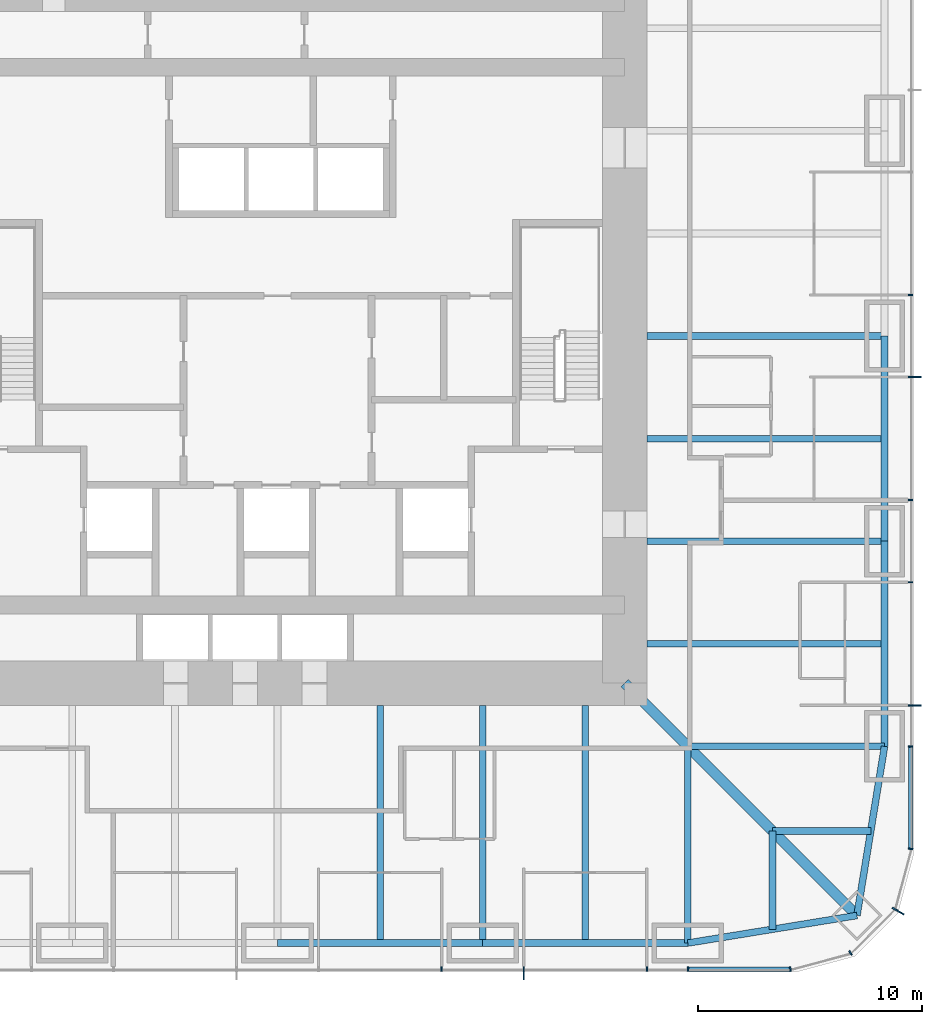
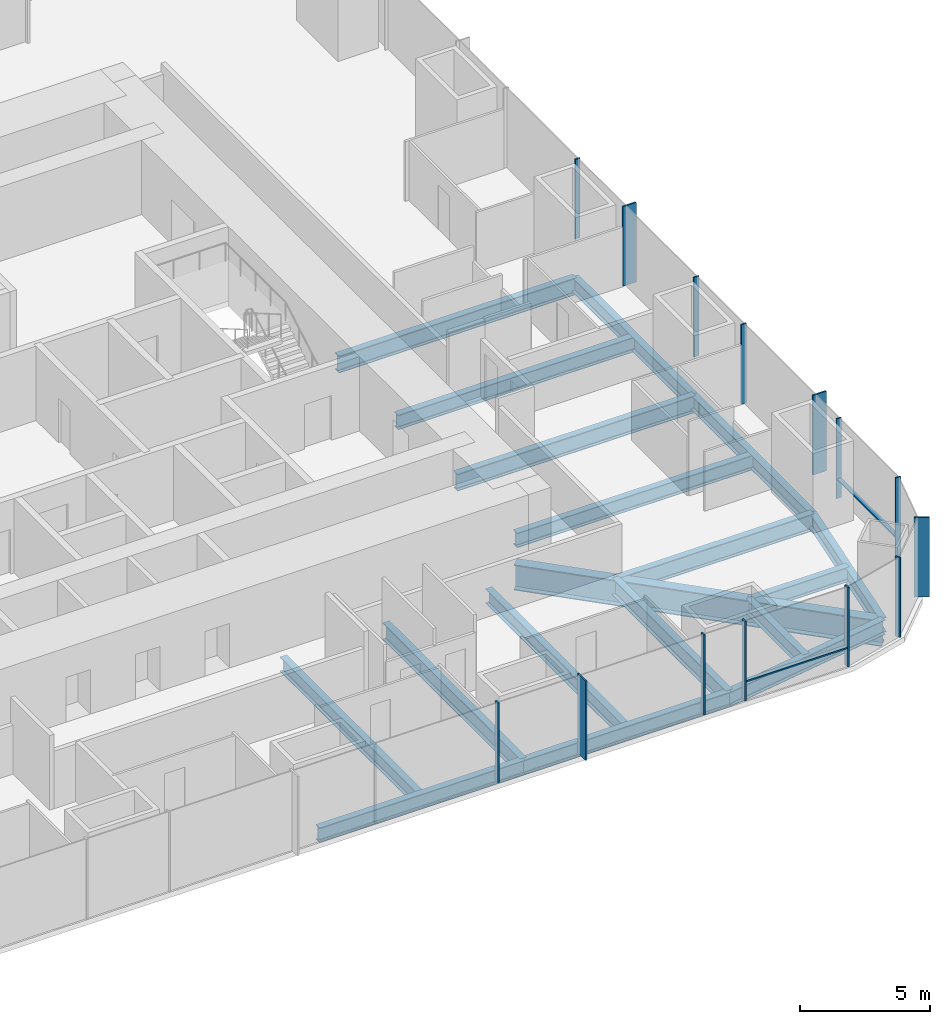
# One storey, part 3 of 11: 18 beams, 16 members, 3 elements without a shape of their own.
"""IFC4 building model written with IfcOpenShell, lengths in metres."""

from ifc_helpers import new_model, si_unit, direction, frame, origin, origin_2d, place, context, subcontext, project, spatial, rectangle, i_section, extrude, material, material_profile, profile_set, type_object, element, aggregate, save


model = new_model("IFC4")

# Units and contexts
model_context = context("Model", 3, precision=1e-05, world=origin(), true_north=direction((0.0, 1.0)))
body_context = subcontext(model_context, "Body", "Model", "MODEL_VIEW")
ifc_project = project(units=[si_unit("LENGTHUNIT", "METRE"), si_unit("AREAUNIT", "SQUARE_METRE"), si_unit("VOLUMEUNIT", "CUBIC_METRE"), si_unit("PLANEANGLEUNIT", "RADIAN"), si_unit("MASSUNIT", "GRAM", prefix="KILO")], contexts=[model_context])

# Site, building, storey
site_placement = place(None, origin())
site = spatial("IfcSite", under=ifc_project, at=site_placement, CompositionType="ELEMENT")
building_placement = place(site_placement, origin())
building = spatial("IfcBuilding", under=site, at=building_placement, Name="Khuree Lantern Residences", CompositionType="ELEMENT")
storey_placement = place(building_placement, frame((0.0, 0.0, 171.0)))
storey = spatial("IfcBuildingStorey", under=building, at=storey_placement, Name="L43", CompositionType="ELEMENT", Elevation=171.0)

# Beams
ifc_material_1 = material(Name="Steel S355", Category="steel")
ifc_material_profile_1 = material_profile(ifc_material_1, i_section(OverallWidth=0.300048828125, OverallDepth=0.68994140625, WebThickness=0.014404296875, FlangeThickness=0.027099609375, FilletRadius=0.027099609375, at=origin_2d()), Name="HE 700 A")
ifc_profile_set_1 = profile_set([ifc_material_profile_1], Name="Steel S355")
beam_type_1 = type_object("IfcBeamType", Name="B-25A SECONDARY BEAM HE 700 A", PredefinedType="BEAM", material=ifc_profile_set_1)
for number, where, z_axis, x_axis, name in (
    (1, (27.10009765625, -4.580078125, -0.594970703125), (-1.0, 0.0, 0.0), (0.0, -1.0, 0.0), "Secondary beam E4"),
    (2, (27.10009765625, -13.739990234375, -0.594970703125), (-1.0, 0.0, 0.0), (0.0, -1.0, 0.0), "Secondary beam E5"),
):
    element("IfcBeam", number, at=place(storey_placement, frame(where, z_axis=z_axis, x_axis=x_axis)), inside=storey, type_object=beam_type_1, Name=name, PredefinedType="BEAM", context=body_context, shape_type="SweptSolid", body=[
        extrude(i_section(OverallWidth=0.300048828125, OverallDepth=0.68994140625, WebThickness=0.014404296875, FlangeThickness=0.027099609375, FilletRadius=0.027099609375, at=origin_2d()), origin(), (0.0, 0.0, 1.0), 10.60009765625),
    ])
for number, where, z_axis, x_axis, name in (
    (3, (26.48486328125, -22.094970703125, -0.594970703125), (-1.0, 0.0, 0.0), (0.0, -1.0, 0.0), "Secondary beam E6"),
    (4, (22.094970703125, -26.48486328125, -0.594970703125), (0.0, 1.0, 0.0), (-1.0, 0.0, 0.0), "Secondary beam S1"),
):
    element("IfcBeam", number, at=place(storey_placement, frame(where, z_axis=z_axis, x_axis=x_axis)), inside=storey, type_object=beam_type_1, Name=name, PredefinedType="BEAM", context=body_context, shape_type="SweptSolid", body=[
        extrude(i_section(OverallWidth=0.300048828125, OverallDepth=0.68994140625, WebThickness=0.014404296875, FlangeThickness=0.027099609375, FilletRadius=0.027099609375, at=origin_2d()), origin(), (0.0, 0.0, 1.0), 4.389892578125),
    ])
for number, where, z_axis, x_axis, name in (
    (5, (13.739990234375, -27.10009765625, -0.594970703125), (0.0, 1.0, 0.0), (-1.0, 0.0, 0.0), "Secondary beam S2"),
    (6, (4.580078125, -27.10009765625, -0.594970703125), (0.0, 1.0, 0.0), (-1.0, 0.0, 0.0), "Secondary beam S3"),
):
    element("IfcBeam", number, at=place(storey_placement, frame(where, z_axis=z_axis, x_axis=x_axis)), inside=storey, type_object=beam_type_1, Name=name, PredefinedType="BEAM", context=body_context, shape_type="SweptSolid", body=[
        extrude(i_section(OverallWidth=0.300048828125, OverallDepth=0.68994140625, WebThickness=0.014404296875, FlangeThickness=0.027099609375, FilletRadius=0.027099609375, at=origin_2d()), origin(), (0.0, 0.0, 1.0), 10.60009765625),
    ])
ifc_material_profile_2 = material_profile(ifc_material_1, i_section(OverallWidth=0.300048828125, OverallDepth=0.68994140625, WebThickness=0.014404296875, FlangeThickness=0.027099609375, FilletRadius=0.027099609375, at=origin_2d()), Name="HE 700 A")
ifc_profile_set_2 = profile_set([ifc_material_profile_2], Name="Steel S355")
beam_type_2 = type_object("IfcBeamType", Name="E-25 SPANDREL BEAM HE 700 A", PredefinedType="SPANDREL", material=ifc_profile_set_2)
beam_1_placement = place(storey_placement, frame((27.10009765625, 0.0, -0.594970703125), z_axis=(0.0, -1.0, 0.0), x_axis=(1.0, 0.0, 0.0)))
element("IfcBeam", 7, at=beam_1_placement, inside=storey, type_object=beam_type_2, Name="Spandrel beam E4", PredefinedType="SPANDREL", context=body_context, shape_type="SweptSolid", body=[
    extrude(i_section(OverallWidth=0.300048828125, OverallDepth=0.68994140625, WebThickness=0.014404296875, FlangeThickness=0.027099609375, FilletRadius=0.027099609375, at=origin_2d()), origin(), (0.0, 0.0, 1.0), 9.159912109375),
])
beam_2_placement = place(storey_placement, frame((27.10009765625, -9.159912109375, -0.594970703125), z_axis=(0.0, -1.0, 0.0), x_axis=(1.0, 0.0, 0.0)))
element("IfcBeam", 8, at=beam_2_placement, inside=storey, type_object=beam_type_2, Name="Spandrel beam E5", PredefinedType="SPANDREL", context=body_context, shape_type="SweptSolid", body=[
    extrude(i_section(OverallWidth=0.300048828125, OverallDepth=0.68994140625, WebThickness=0.014404296875, FlangeThickness=0.027099609375, FilletRadius=0.027099609375, at=origin_2d()), origin(), (0.0, 0.0, 1.0), 9.16015625),
])
for number, where, z_axis, x_axis, name in (
    (9, (27.10009765625, -18.320068359375, -0.594970703125), (-0.160826723833, -0.986982656839, 0.0), (0.986982656839, -0.160826723833, 0.0), "Spandrel beam E6"),
    (10, (25.869873046875, -25.869873046875, -0.594970703125), (-0.986982656839, -0.160826723833, 0.0), (0.160826723833, -0.986982656839, 0.0), "Spandrel beam S1"),
):
    element("IfcBeam", number, at=place(storey_placement, frame(where, z_axis=z_axis, x_axis=x_axis)), inside=storey, type_object=beam_type_2, Name=name, PredefinedType="SPANDREL", context=body_context, shape_type="SweptSolid", body=[
        extrude(i_section(OverallWidth=0.300048828125, OverallDepth=0.68994140625, WebThickness=0.014404296875, FlangeThickness=0.027099609375, FilletRadius=0.027099609375, at=origin_2d()), origin(), (0.0, 0.0, 1.0), 7.6494140625),
    ])
beam_3_placement = place(storey_placement, frame((18.320068359375, -27.10009765625, -0.594970703125), z_axis=(-1.0, 0.0, 0.0), x_axis=(0.0, -1.0, 0.0)))
element("IfcBeam", 11, at=beam_3_placement, inside=storey, type_object=beam_type_2, Name="Spandrel beam S2", PredefinedType="SPANDREL", context=body_context, shape_type="SweptSolid", body=[
    extrude(i_section(OverallWidth=0.300048828125, OverallDepth=0.68994140625, WebThickness=0.014404296875, FlangeThickness=0.027099609375, FilletRadius=0.027099609375, at=origin_2d()), origin(), (0.0, 0.0, 1.0), 9.16015625),
])
beam_4_placement = place(storey_placement, frame((9.159912109375, -27.10009765625, -0.594970703125), z_axis=(-1.0, 0.0, 0.0), x_axis=(0.0, -1.0, 0.0)))
element("IfcBeam", 12, at=beam_4_placement, inside=storey, type_object=beam_type_2, Name="Spandrel beam S3", PredefinedType="SPANDREL", context=body_context, shape_type="SweptSolid", body=[
    extrude(i_section(OverallWidth=0.300048828125, OverallDepth=0.68994140625, WebThickness=0.014404296875, FlangeThickness=0.027099609375, FilletRadius=0.027099609375, at=origin_2d()), origin(), (0.0, 0.0, 1.0), 9.159912109375),
])

# Curtain wall, member
ifc_material_2 = material(Name="Bronze anodised aluminium", Category="aluminium")
curtain_wall_type_1 = type_object("IfcCurtainWallType", Name="CW-T2 TOWER CORNER CURTAIN WALL", PredefinedType="USERDEFINED", material=ifc_material_2)
curtain_wall_1_placement = place(storey_placement, origin())
curtain_wall_1 = element("IfcCurtainWall", 13, at=curtain_wall_1_placement, inside=storey, type_object=curtain_wall_type_1, Name="L43 SOUTH-EAST CORNER CURTAIN WALL", ObjectType="Faceted corner curtain wall", PredefinedType="USERDEFINED")
ifc_material_profile_3 = material_profile(ifc_material_2, rectangle(XDim=0.06494140625, YDim=0.60009765625, at=origin_2d()), Name="F1 65X600")
ifc_profile_set_3 = profile_set([ifc_material_profile_3], Name="Bronze anodised aluminium")
member_type_1 = type_object("IfcMemberType", Name="F1 BRONZE FIN MULLION TOWER 65X600", PredefinedType="MULLION", material=ifc_profile_set_3)
member_1_placement = place(storey_placement, frame((27.70654296875, -25.675048828125, 0.0), z_axis=(0.0, 0.0, 1.0), x_axis=(0.500000026995, 0.866025388199, 0.0)))
member_1 = element("IfcMember", 14, at=member_1_placement, type_object=member_type_1, Name="L43 SOUTH-EAST CORNER FIN MULLION 3", PredefinedType="MULLION", context=body_context, shape_type="SweptSolid", body=[
    extrude(rectangle(XDim=0.06494140625, YDim=0.60009765625, at=origin_2d()), origin(), (0.0, 0.0, 1.0), 3.75),
])

# Curtain wall, members
curtain_wall_type_2 = type_object("IfcCurtainWallType", Name="CW-T1 TOWER FACE CURTAIN WALL", PredefinedType="USERDEFINED", material=ifc_material_2)
curtain_wall_2_placement = place(storey_placement, origin())
curtain_wall_2 = element("IfcCurtainWall", 15, at=curtain_wall_2_placement, inside=storey, type_object=curtain_wall_type_2, Name="L43 EAST FACE CURTAIN WALL", ObjectType="Stick-built curtain wall", PredefinedType="USERDEFINED")
member_2_placement = place(storey_placement, frame((28.449951171875, -16.488037109375, 0.0), z_axis=(0.0, 0.0, 1.0), x_axis=(0.0, 1.0, 0.0)))
member_2 = element("IfcMember", 16, at=member_2_placement, type_object=member_type_1, Name="L43 EAST FACE FIN MULLION 6", PredefinedType="MULLION", context=body_context, shape_type="SweptSolid", body=[
    extrude(rectangle(XDim=0.06494140625, YDim=0.60009765625, at=origin_2d()), origin(), (0.0, 0.0, 1.0), 3.75),
])
member_3_placement = place(storey_placement, frame((28.449951171875, -1.83203125, 0.0), z_axis=(0.0, 0.0, 1.0), x_axis=(0.0, 1.0, 0.0)))
member_3 = element("IfcMember", 17, at=member_3_placement, type_object=member_type_1, Name="L43 EAST FACE FIN MULLION 9", PredefinedType="MULLION", context=body_context, shape_type="SweptSolid", body=[
    extrude(rectangle(XDim=0.06494140625, YDim=0.60009765625, at=origin_2d()), origin(), (0.0, 0.0, 1.0), 3.75),
])

# Curtain wall, member
curtain_wall_3_placement = place(storey_placement, origin())
curtain_wall_3 = element("IfcCurtainWall", 18, at=curtain_wall_3_placement, inside=storey, type_object=curtain_wall_type_2, Name="L43 SOUTH FACE CURTAIN WALL", ObjectType="Stick-built curtain wall", PredefinedType="USERDEFINED")
member_4_placement = place(storey_placement, frame((10.991943359375, -28.449951171875, 0.0), z_axis=(0.0, 0.0, 1.0), x_axis=(1.0, 0.0, 0.0)))
member_4 = element("IfcMember", 19, at=member_4_placement, type_object=member_type_1, Name="L43 SOUTH FACE FIN MULLION 54", PredefinedType="MULLION", context=body_context, shape_type="SweptSolid", body=[
    extrude(rectangle(XDim=0.06494140625, YDim=0.60009765625, at=origin_2d()), origin(), (0.0, 0.0, 1.0), 3.75),
])

# Beams
ifc_material_profile_4 = material_profile(ifc_material_1, i_section(OverallWidth=0.300048828125, OverallDepth=0.800048828125, WebThickness=0.017578125, FlangeThickness=0.032958984375, FilletRadius=0.030029296875, at=origin_2d()), Name="HE 800 B")
ifc_profile_set_4 = profile_set([ifc_material_profile_4], Name="Steel S355")
beam_type_3 = type_object("IfcBeamType", Name="G-25A GIRDER HE 800 B", PredefinedType="BEAM", material=ifc_profile_set_4)
for number, where, z_axis, x_axis, name in (
    (20, (27.10009765625, 0.0, -0.64990234375), (-1.0, 0.0, 0.0), (0.0, -1.0, 0.0), "Girder E3"),
    (21, (27.10009765625, -9.159912109375, -0.64990234375), (-1.0, 0.0, 0.0), (0.0, -1.0, 0.0), "Girder E4"),
):
    element("IfcBeam", number, at=place(storey_placement, frame(where, z_axis=z_axis, x_axis=x_axis)), inside=storey, type_object=beam_type_3, Name=name, PredefinedType="BEAM", context=body_context, shape_type="SweptSolid", body=[
        extrude(i_section(OverallWidth=0.300048828125, OverallDepth=0.800048828125, WebThickness=0.017578125, FlangeThickness=0.032958984375, FilletRadius=0.030029296875, at=origin_2d()), origin(), (0.0, 0.0, 1.0), 10.60009765625),
    ])
for number, where, z_axis, x_axis, name in (
    (22, (27.10009765625, -18.320068359375, -0.64990234375), (-1.0, 0.0, 0.0), (0.0, -1.0, 0.0), "Girder E5"),
    (23, (18.320068359375, -27.10009765625, -0.64990234375), (0.0, 1.0, 0.0), (-1.0, 0.0, 0.0), "Girder S1"),
):
    element("IfcBeam", number, at=place(storey_placement, frame(where, z_axis=z_axis, x_axis=x_axis)), inside=storey, type_object=beam_type_3, Name=name, PredefinedType="BEAM", context=body_context, shape_type="SweptSolid", body=[
        extrude(i_section(OverallWidth=0.300048828125, OverallDepth=0.800048828125, WebThickness=0.017578125, FlangeThickness=0.032958984375, FilletRadius=0.030029296875, at=origin_2d()), origin(), (0.0, 0.0, 1.0), 8.780029296875),
    ])
beam_5_placement = place(storey_placement, frame((9.159912109375, -27.10009765625, -0.64990234375), z_axis=(0.0, 1.0, 0.0), x_axis=(-1.0, 0.0, 0.0)))
element("IfcBeam", 24, at=beam_5_placement, inside=storey, type_object=beam_type_3, Name="Girder S2", PredefinedType="BEAM", context=body_context, shape_type="SweptSolid", body=[
    extrude(i_section(OverallWidth=0.300048828125, OverallDepth=0.800048828125, WebThickness=0.017578125, FlangeThickness=0.032958984375, FilletRadius=0.030029296875, at=origin_2d()), origin(), (0.0, 0.0, 1.0), 10.60009765625),
])
ifc_material_profile_5 = material_profile(ifc_material_1, i_section(OverallWidth=0.449951171875, OverallDepth=1.199951171875, WebThickness=0.02490234375, FlangeThickness=0.044921875, at=origin_2d()), Name="WELDED I 1200X450X25X45")
ifc_profile_set_5 = profile_set([ifc_material_profile_5], Name="Steel S355")
beam_type_4 = type_object("IfcBeamType", Name="GD-25 CORNER GIRDER WELDED I 1200X450X25X45", PredefinedType="BEAM", material=ifc_profile_set_5)
beam_6_placement = place(storey_placement, frame((25.869873046875, -25.869873046875, -0.85009765625), z_axis=(-0.707106781187, 0.707106781187, 0.0), x_axis=(-0.707106781187, -0.707106781187, 0.0)))
element("IfcBeam", 25, at=beam_6_placement, inside=storey, type_object=beam_type_4, Name="Corner girder SE", PredefinedType="BEAM", context=body_context, shape_type="SweptSolid", body=[
    extrude(i_section(OverallWidth=0.449951171875, OverallDepth=1.199951171875, WebThickness=0.02490234375, FlangeThickness=0.044921875, at=origin_2d()), origin(), (0.0, 0.0, 1.0), 14.665283203125),
])

# Member
ifc_material_profile_6 = material_profile(ifc_material_2, rectangle(XDim=0.06494140625, YDim=0.219970703125, at=origin_2d()), Name="M1 65X220")
ifc_profile_set_6 = profile_set([ifc_material_profile_6], Name="Bronze anodised aluminium")
member_type_2 = type_object("IfcMemberType", Name="M1 BRONZE MULLION TOWER 65X220", PredefinedType="MULLION", material=ifc_profile_set_6)
member_5_placement = place(storey_placement, frame((22.89501953125, -28.26171875, 0.0), z_axis=(0.0, 0.0, 1.0), x_axis=(0.991444857305, 0.130526223125, 0.0)))
member_5 = element("IfcMember", 26, at=member_5_placement, type_object=member_type_2, Name="L43 SOUTH-EAST CORNER MULLION 1", PredefinedType="MULLION", context=body_context, shape_type="SweptSolid", body=[
    extrude(rectangle(XDim=0.06494140625, YDim=0.219970703125, at=origin_2d()), origin(), (0.0, 0.0, 1.0), 3.75),
])

member_6_placement = place(storey_placement, frame((25.580078125, -27.5419921875, 0.0), z_axis=(0.0, 0.0, 1.0), x_axis=(0.866025388199, 0.500000026995, 0.0)))
member_6 = element("IfcMember", 27, at=member_6_placement, type_object=member_type_2, Name="L43 SOUTH-EAST CORNER MULLION 2", PredefinedType="MULLION", context=body_context, shape_type="SweptSolid", body=[
    extrude(rectangle(XDim=0.06494140625, YDim=0.219970703125, at=origin_2d()), origin(), (0.0, 0.0, 1.0), 3.75),
])

aggregate(curtain_wall_1, [member_5, member_6, member_1])

member_7_placement = place(storey_placement, frame((28.26171875, -22.89501953125, 0.0), z_axis=(0.0, 0.0, 1.0), x_axis=(0.130526223125, 0.991444857305, 0.0)))
member_7 = element("IfcMember", 28, at=member_7_placement, type_object=member_type_2, Name="L43 EAST FACE MULLION 4", PredefinedType="MULLION", context=body_context, shape_type="SweptSolid", body=[
    extrude(rectangle(XDim=0.06494140625, YDim=0.219970703125, at=origin_2d()), origin(), (0.0, 0.0, 1.0), 3.75),
])

member_8_placement = place(storey_placement, frame((28.260009765625, -18.320068359375, 0.0), z_axis=(0.0, 0.0, 1.0), x_axis=(0.0, 1.0, 0.0)))
member_8 = element("IfcMember", 29, at=member_8_placement, type_object=member_type_2, Name="L43 EAST FACE MULLION 5", PredefinedType="MULLION", context=body_context, shape_type="SweptSolid", body=[
    extrude(rectangle(XDim=0.06494140625, YDim=0.219970703125, at=origin_2d()), origin(), (0.0, 0.0, 1.0), 3.75),
])

member_9_placement = place(storey_placement, frame((28.260009765625, -10.991943359375, 0.0), z_axis=(0.0, 0.0, 1.0), x_axis=(0.0, 1.0, 0.0)))
member_9 = element("IfcMember", 30, at=member_9_placement, type_object=member_type_2, Name="L43 EAST FACE MULLION 7", PredefinedType="MULLION", context=body_context, shape_type="SweptSolid", body=[
    extrude(rectangle(XDim=0.06494140625, YDim=0.219970703125, at=origin_2d()), origin(), (0.0, 0.0, 1.0), 3.75),
])

member_10_placement = place(storey_placement, frame((28.260009765625, -7.327880859375, 0.0), z_axis=(0.0, 0.0, 1.0), x_axis=(0.0, 1.0, 0.0)))
member_10 = element("IfcMember", 31, at=member_10_placement, type_object=member_type_2, Name="L43 EAST FACE MULLION 8", PredefinedType="MULLION", context=body_context, shape_type="SweptSolid", body=[
    extrude(rectangle(XDim=0.06494140625, YDim=0.219970703125, at=origin_2d()), origin(), (0.0, 0.0, 1.0), 3.75),
])

member_11_placement = place(storey_placement, frame((28.260009765625, 1.83203125, 0.0), z_axis=(0.0, 0.0, 1.0), x_axis=(0.0, 1.0, 0.0)))
member_11 = element("IfcMember", 32, at=member_11_placement, type_object=member_type_2, Name="L43 EAST FACE MULLION 10", PredefinedType="MULLION", context=body_context, shape_type="SweptSolid", body=[
    extrude(rectangle(XDim=0.06494140625, YDim=0.219970703125, at=origin_2d()), origin(), (0.0, 0.0, 1.0), 3.75),
])

member_12_placement = place(storey_placement, frame((7.327880859375, -28.260009765625, 0.0), z_axis=(0.0, 0.0, 1.0), x_axis=(1.0, 0.0, 0.0)))
member_12 = element("IfcMember", 33, at=member_12_placement, type_object=member_type_2, Name="L43 SOUTH FACE MULLION 53", PredefinedType="MULLION", context=body_context, shape_type="SweptSolid", body=[
    extrude(rectangle(XDim=0.06494140625, YDim=0.219970703125, at=origin_2d()), origin(), (0.0, 0.0, 1.0), 3.75),
])

member_13_placement = place(storey_placement, frame((16.488037109375, -28.260009765625, 0.0), z_axis=(0.0, 0.0, 1.0), x_axis=(1.0, 0.0, 0.0)))
member_13 = element("IfcMember", 34, at=member_13_placement, type_object=member_type_2, Name="L43 SOUTH FACE MULLION 55", PredefinedType="MULLION", context=body_context, shape_type="SweptSolid", body=[
    extrude(rectangle(XDim=0.06494140625, YDim=0.219970703125, at=origin_2d()), origin(), (0.0, 0.0, 1.0), 3.75),
])

member_14_placement = place(storey_placement, frame((18.320068359375, -28.260009765625, 0.0), z_axis=(0.0, 0.0, 1.0), x_axis=(1.0, 0.0, 0.0)))
member_14 = element("IfcMember", 35, at=member_14_placement, type_object=member_type_2, Name="L43 SOUTH FACE MULLION 56", PredefinedType="MULLION", context=body_context, shape_type="SweptSolid", body=[
    extrude(rectangle(XDim=0.06494140625, YDim=0.219970703125, at=origin_2d()), origin(), (0.0, 0.0, 1.0), 3.75),
])

ifc_material_profile_7 = material_profile(ifc_material_2, rectangle(XDim=0.179931640625, YDim=0.06494140625, at=origin_2d()), Name="T1 180X65")
ifc_profile_set_7 = profile_set([ifc_material_profile_7], Name="Bronze anodised aluminium")
member_type_3 = type_object("IfcMemberType", Name="TRANSOM T1 TOWER 180X65", PredefinedType="USERDEFINED", material=ifc_profile_set_7)
member_15_placement = place(storey_placement, frame((28.27001953125, -22.851318359375, 0.89990234375), z_axis=(0.0, 1.0, 0.0), x_axis=(-1.0, 0.0, 0.0)))
member_15 = element("IfcMember", 36, at=member_15_placement, type_object=member_type_3, Name="L43 EAST FACE TRANSOM 4.1", ObjectType="Transom", PredefinedType="USERDEFINED", context=body_context, shape_type="SweptSolid", body=[
    extrude(rectangle(XDim=0.179931640625, YDim=0.06494140625, at=origin_2d()), origin(), (0.0, 0.0, 1.0), 4.498779296875),
])

aggregate(curtain_wall_2, [member_7, member_8, member_2, member_9, member_10, member_3, member_11, member_15])

member_16_placement = place(storey_placement, frame((18.3525390625, -28.27001953125, 0.89990234375), z_axis=(1.0, 0.0, 0.0), x_axis=(0.0, 1.0, 0.0)))
member_16 = element("IfcMember", 37, at=member_16_placement, type_object=member_type_3, Name="L43 SOUTH FACE TRANSOM 56.1", ObjectType="Transom", PredefinedType="USERDEFINED", context=body_context, shape_type="SweptSolid", body=[
    extrude(rectangle(XDim=0.179931640625, YDim=0.06494140625, at=origin_2d()), origin(), (0.0, 0.0, 1.0), 4.498779296875),
])

aggregate(curtain_wall_3, [member_12, member_4, member_13, member_14, member_16])

save(model, "model.ifc")
